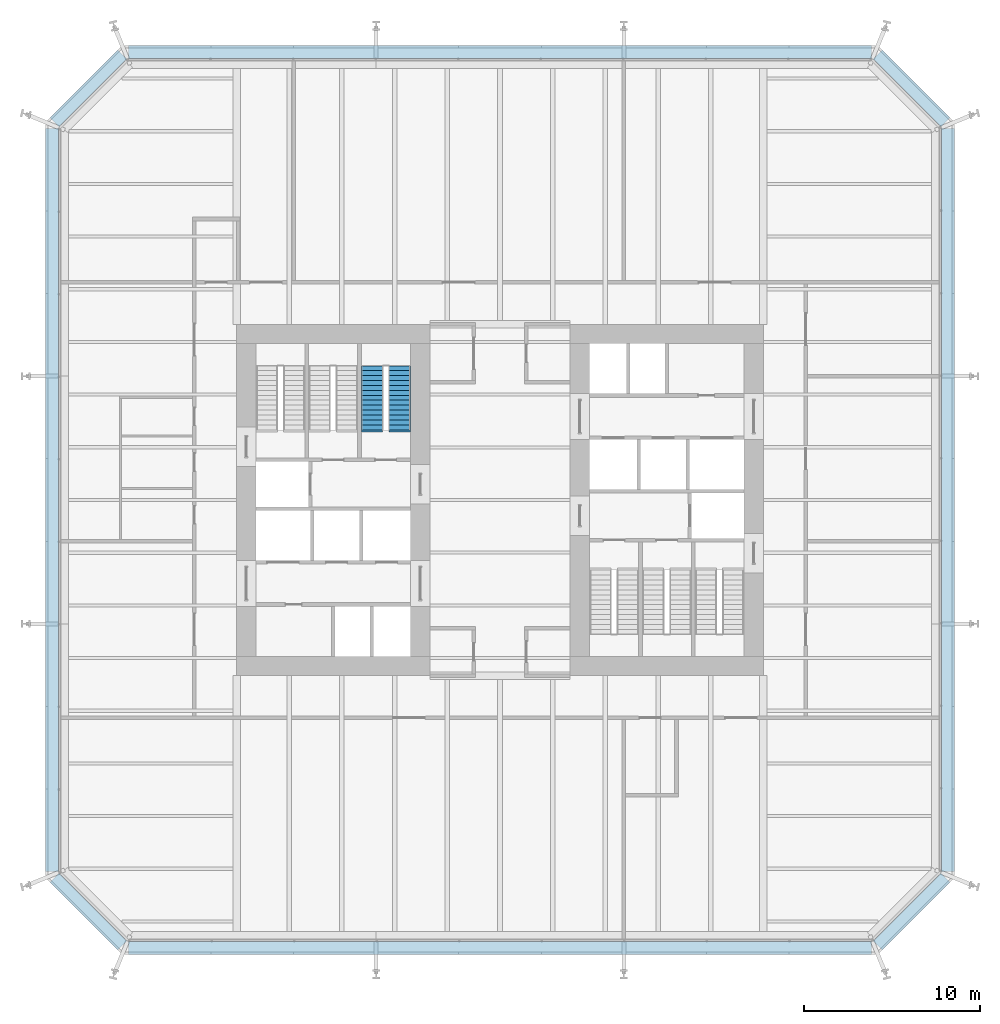
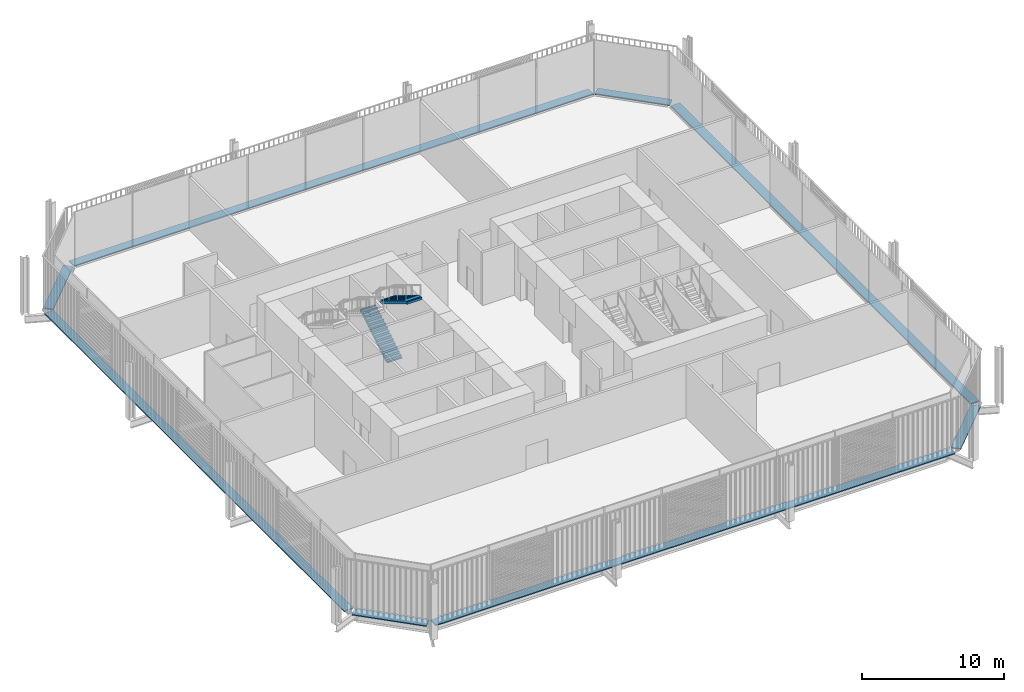
# One storey, part 21 of 22: 8 discrete accessories, 2 stair flights, 1 element without a shape of its own.
"""IFC4 building model written with IfcOpenShell, lengths in metres."""

from ifc_helpers import new_model, si_unit, direction, frame, origin, origin_2d, place, context, subcontext, project, spatial, polyline, rectangle, outline, extrude, material, type_object, element, aggregate, save


model = new_model("IFC4")

# Units and contexts
model_context = context("Model", 3, precision=1e-05, world=origin(), true_north=direction((0.0, 1.0)))
body_context = subcontext(model_context, "Body", "Model", "MODEL_VIEW")
ifc_project = project(units=[si_unit("LENGTHUNIT", "METRE"), si_unit("AREAUNIT", "SQUARE_METRE"), si_unit("VOLUMEUNIT", "CUBIC_METRE"), si_unit("PLANEANGLEUNIT", "RADIAN"), si_unit("MASSUNIT", "GRAM", prefix="KILO")], contexts=[model_context])

# Site, building, storey
site_placement = place(None, origin())
site = spatial("IfcSite", under=ifc_project, at=site_placement, CompositionType="ELEMENT")
building_placement = place(site_placement, origin())
building = spatial("IfcBuilding", under=site, at=building_placement, Name="Millrace Tower", CompositionType="ELEMENT")
storey_placement = place(building_placement, frame((0.0, 0.0, 59.300048828125)))
storey = spatial("IfcBuildingStorey", under=building, at=storey_placement, Name="L13", CompositionType="ELEMENT", Elevation=59.300048828125)

# Stair, stair flights
ifc_material_1 = material(Name="Concrete C35", Category="concrete")
stair_type = type_object("IfcStairType", Name="Exit stair", PredefinedType="HALF_TURN_STAIR", material=ifc_material_1)
stair_placement = place(storey_placement, origin())
stair = element("IfcStair", 1, at=stair_placement, inside=storey, type_object=stair_type, Name="Stair 3 W L13", PredefinedType="HALF_TURN_STAIR")
ifc_material_2 = material(Name="Concrete C35", Category="concrete")
stair_flight_type = type_object("IfcStairFlightType", Name="Exit stair flight", PredefinedType="STRAIGHT", material=ifc_material_2)
stair_flight_1_placement = place(storey_placement, frame((-7.2900390625, 4.0, 0.0), z_axis=(0.0, 0.0, 1.0), x_axis=(0.0, 1.0, 0.0)))
stair_flight_1 = element("IfcStairFlight", 2, at=stair_flight_1_placement, type_object=stair_flight_type, Name="ST12 flight 1", NumberOfRisers=14, NumberOfTreads=13, PredefinedType="STRAIGHT", RiserHeight=0.171428571, TreadLength=0.28, context=body_context, shape_type="SweptSolid", body=[
    extrude(outline(polyline([(-0.1201171875, -0.0400390625), (-0.1201171875, 0.0), (0.0, 0.0), (0.0, 0.17138671875), (0.280029296875, 0.17138671875), (0.280029296875, 0.3427734375), (0.56005859375, 0.3427734375), (0.56005859375, 0.514404296875), (0.840087890625, 0.514404296875), (0.840087890625, 0.685791015625), (1.1201171875, 0.685791015625), (1.1201171875, 0.857177734375), (1.39990234375, 0.857177734375), (1.39990234375, 1.028564453125), (1.679931640625, 1.028564453125), (1.679931640625, 1.199951171875), (1.9599609375, 1.199951171875), (1.9599609375, 1.371337890625), (2.239990234375, 1.371337890625), (2.239990234375, 1.54296875), (2.52001953125, 1.54296875), (2.52001953125, 1.71435546875), (2.800048828125, 1.71435546875), (2.800048828125, 1.8857421875), (3.080078125, 1.8857421875), (3.080078125, 2.05712890625), (3.360107421875, 2.05712890625), (3.360107421875, 2.228515625), (3.639892578125, 2.228515625), (3.639892578125, 2.24853515625), (3.760009765625, 2.24853515625), (3.760009765625, 2.052734375), (3.639892578125, 2.052734375), (0.287109375, 0.0), (0.287109375, -0.0400390625), (-0.1201171875, -0.0400390625)])), frame((0.0, 0.60986328125, 0.0), z_axis=(0.0, -1.0, 0.0), x_axis=(1.0, 0.0, 0.0)), (0.0, 0.0, 1.0), 1.219970703125),
])
stair_flight_2_placement = place(storey_placement, frame((-5.7099609375, 7.639892578125, 2.39990234375), z_axis=(0.0, 0.0, 1.0), x_axis=(0.0, -1.0, 0.0)))
stair_flight_2 = element("IfcStairFlight", 3, at=stair_flight_2_placement, type_object=stair_flight_type, Name="ST12 flight 2", NumberOfRisers=14, NumberOfTreads=13, PredefinedType="STRAIGHT", RiserHeight=0.171428571, TreadLength=0.28, context=body_context, shape_type="SweptSolid", body=[
    extrude(outline(polyline([(-0.1201171875, -0.0400390625), (-0.1201171875, 0.0), (0.0, 0.0), (0.0, 0.17138671875), (0.280029296875, 0.17138671875), (0.280029296875, 0.3427734375), (0.56005859375, 0.3427734375), (0.56005859375, 0.514404296875), (0.840087890625, 0.514404296875), (0.840087890625, 0.685791015625), (1.1201171875, 0.685791015625), (1.1201171875, 0.857177734375), (1.39990234375, 0.857177734375), (1.39990234375, 1.028564453125), (1.679931640625, 1.028564453125), (1.679931640625, 1.199951171875), (1.9599609375, 1.199951171875), (1.9599609375, 1.371337890625), (2.239990234375, 1.371337890625), (2.239990234375, 1.54296875), (2.52001953125, 1.54296875), (2.52001953125, 1.71435546875), (2.800048828125, 1.71435546875), (2.800048828125, 1.8857421875), (3.080078125, 1.8857421875), (3.080078125, 2.05712890625), (3.360107421875, 2.05712890625), (3.360107421875, 2.228515625), (3.639892578125, 2.228515625), (3.639892578125, 2.24853515625), (3.760009765625, 2.24853515625), (3.760009765625, 2.052734375), (3.639892578125, 2.052734375), (0.287109375, 0.0), (0.287109375, -0.0400390625), (-0.1201171875, -0.0400390625)])), frame((0.0, 0.60986328125, 0.0), z_axis=(0.0, -1.0, 0.0), x_axis=(1.0, 0.0, 0.0)), (0.0, 0.0, 1.0), 1.219970703125),
])
aggregate(stair, [stair_flight_1, stair_flight_2])

# Discrete accessories
ifc_material_3 = material(Name="Stainless steel ASTM A240 type 316", Category="steel")
discrete_accessory_type = type_object("IfcDiscreteAccessoryType", Name="Thermally broken screen support rail", PredefinedType="BRACKET", material=ifc_material_3)
discrete_accessory_1_placement = place(storey_placement, frame((-23.435546875, -23.435546875, 0.0), z_axis=(0.0, 0.0, 1.0), x_axis=(0.707106781187, -0.707106781187, 0.0)))
element("IfcDiscreteAccessory", 4, at=discrete_accessory_1_placement, inside=storey, type_object=discrete_accessory_type, Name="Thermally broken screen support rail A-F01 L13 1", PredefinedType="BRACKET", context=body_context, shape_type="SweptSolid", body=[
    extrude(rectangle(XDim=5.44482421875, YDim=0.719970703125, at=origin_2d()), origin(), (0.0, 0.0, 1.0), 0.10009765625),
])
discrete_accessory_2_placement = place(storey_placement, frame((0.0, -25.510009765625, 0.0), z_axis=(0.0, 0.0, 1.0), x_axis=(1.0, 0.0, 0.0)))
element("IfcDiscreteAccessory", 5, at=discrete_accessory_2_placement, inside=storey, type_object=discrete_accessory_type, Name="Thermally broken screen support rail A-F02 L13 1", PredefinedType="BRACKET", context=body_context, shape_type="SweptSolid", body=[
    extrude(rectangle(XDim=42.300048828125, YDim=0.719970703125, at=origin_2d()), origin(), (0.0, 0.0, 1.0), 0.10009765625),
])
discrete_accessory_3_placement = place(storey_placement, frame((23.435546875, -23.435546875, 0.0), z_axis=(0.0, 0.0, 1.0), x_axis=(0.707106781187, 0.707106781187, 0.0)))
element("IfcDiscreteAccessory", 6, at=discrete_accessory_3_placement, inside=storey, type_object=discrete_accessory_type, Name="Thermally broken screen support rail A-F03 L13 1", PredefinedType="BRACKET", context=body_context, shape_type="SweptSolid", body=[
    extrude(rectangle(XDim=5.44482421875, YDim=0.719970703125, at=origin_2d()), origin(), (0.0, 0.0, 1.0), 0.10009765625),
])
discrete_accessory_4_placement = place(storey_placement, frame((25.510009765625, 0.0, 0.0), z_axis=(0.0, 0.0, 1.0), x_axis=(0.0, 1.0, 0.0)))
element("IfcDiscreteAccessory", 7, at=discrete_accessory_4_placement, inside=storey, type_object=discrete_accessory_type, Name="Thermally broken screen support rail A-F04 L13 1", PredefinedType="BRACKET", context=body_context, shape_type="SweptSolid", body=[
    extrude(rectangle(XDim=42.300048828125, YDim=0.719970703125, at=origin_2d()), origin(), (0.0, 0.0, 1.0), 0.10009765625),
])
discrete_accessory_5_placement = place(storey_placement, frame((23.435546875, 23.435546875, 0.0), z_axis=(0.0, 0.0, 1.0), x_axis=(-0.707106781187, 0.707106781187, 0.0)))
element("IfcDiscreteAccessory", 8, at=discrete_accessory_5_placement, inside=storey, type_object=discrete_accessory_type, Name="Thermally broken screen support rail A-F05 L13 1", PredefinedType="BRACKET", context=body_context, shape_type="SweptSolid", body=[
    extrude(rectangle(XDim=5.44482421875, YDim=0.719970703125, at=origin_2d()), origin(), (0.0, 0.0, 1.0), 0.10009765625),
])
discrete_accessory_6_placement = place(storey_placement, frame((0.0, 25.510009765625, 0.0), z_axis=(0.0, 0.0, 1.0), x_axis=(-1.0, 0.0, 0.0)))
element("IfcDiscreteAccessory", 9, at=discrete_accessory_6_placement, inside=storey, type_object=discrete_accessory_type, Name="Thermally broken screen support rail A-F06 L13 1", PredefinedType="BRACKET", context=body_context, shape_type="SweptSolid", body=[
    extrude(rectangle(XDim=42.300048828125, YDim=0.719970703125, at=origin_2d()), origin(), (0.0, 0.0, 1.0), 0.10009765625),
])
discrete_accessory_7_placement = place(storey_placement, frame((-23.435546875, 23.435546875, 0.0), z_axis=(0.0, 0.0, 1.0), x_axis=(-0.707106781187, -0.707106781187, 0.0)))
element("IfcDiscreteAccessory", 10, at=discrete_accessory_7_placement, inside=storey, type_object=discrete_accessory_type, Name="Thermally broken screen support rail A-F07 L13 1", PredefinedType="BRACKET", context=body_context, shape_type="SweptSolid", body=[
    extrude(rectangle(XDim=5.44482421875, YDim=0.719970703125, at=origin_2d()), origin(), (0.0, 0.0, 1.0), 0.10009765625),
])
discrete_accessory_8_placement = place(storey_placement, frame((-25.510009765625, 0.0, 0.0), z_axis=(0.0, 0.0, 1.0), x_axis=(0.0, -1.0, 0.0)))
element("IfcDiscreteAccessory", 11, at=discrete_accessory_8_placement, inside=storey, type_object=discrete_accessory_type, Name="Thermally broken screen support rail A-F08 L13 1", PredefinedType="BRACKET", context=body_context, shape_type="SweptSolid", body=[
    extrude(rectangle(XDim=42.300048828125, YDim=0.719970703125, at=origin_2d()), origin(), (0.0, 0.0, 1.0), 0.10009765625),
])

save(model, "model.ifc")
